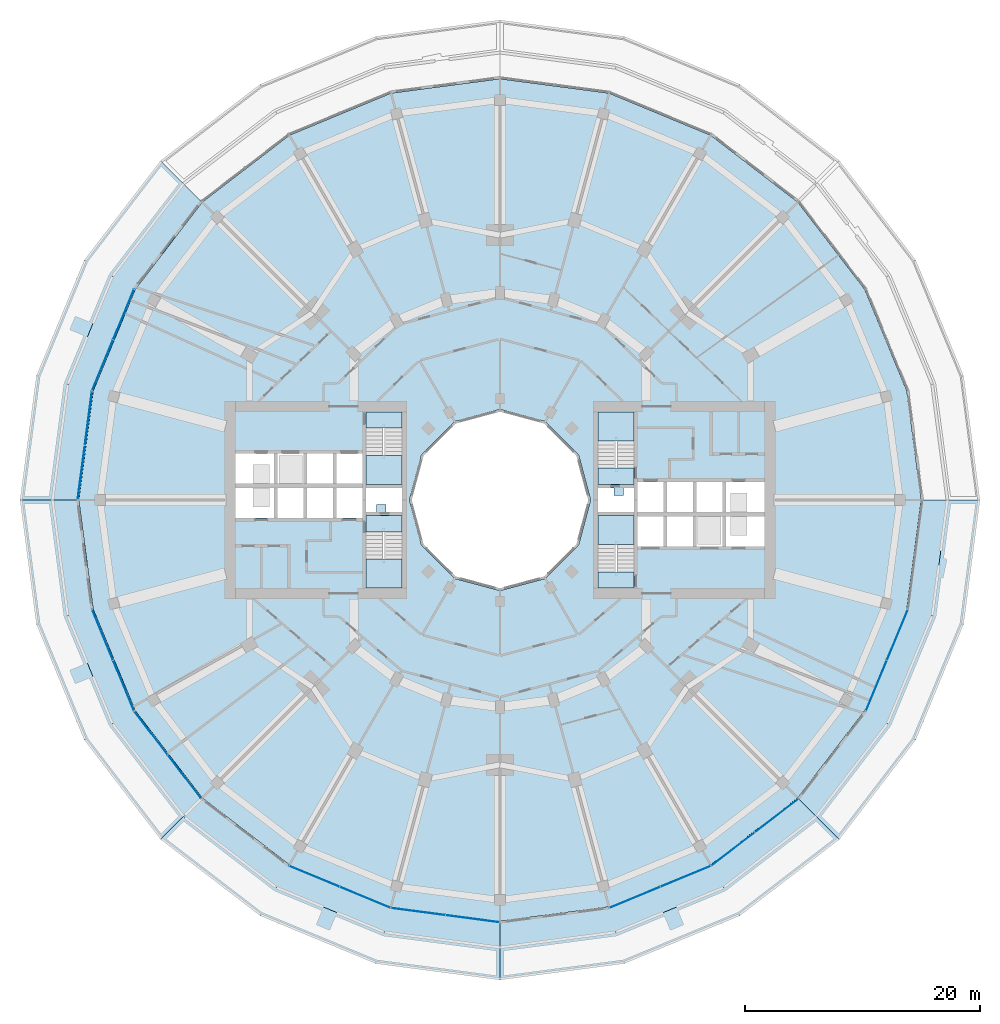
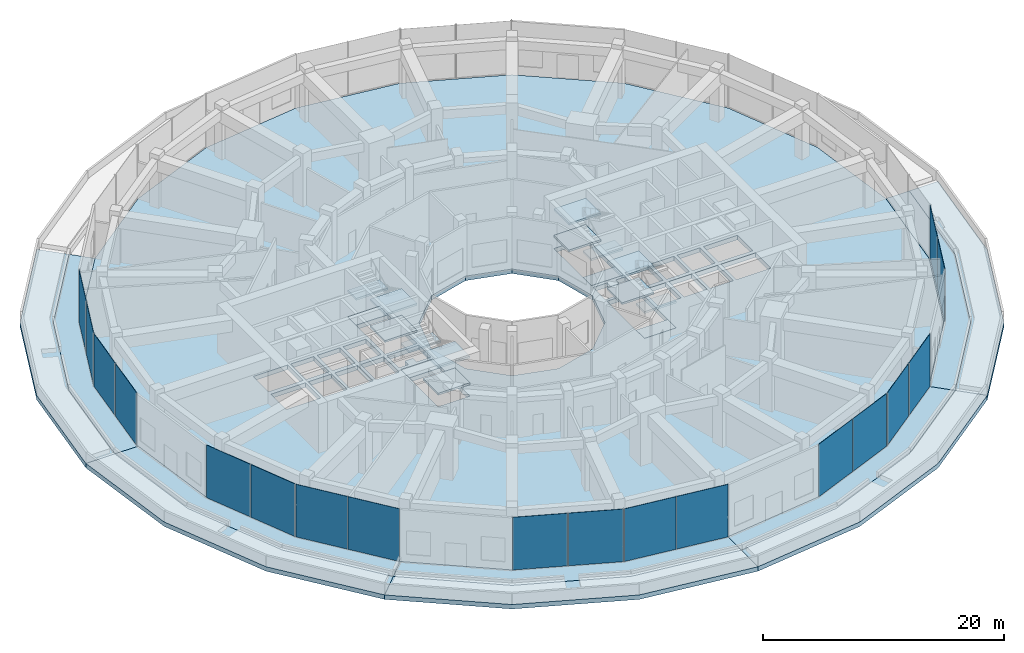
# One storey, part 15 of 26: 27 slabs, 18 plates, 13 elements without a shape of their own.
"""IFC4 building model written with IfcOpenShell, lengths in metres."""

from ifc_helpers import new_model, si_unit, direction, frame, origin, origin_2d, place, context, subcontext, project, spatial, polyline, rectangle, outline, extrude, material, layer, layer_set, type_object, element, aggregate, save


model = new_model("IFC4")

# Units and contexts
model_context = context("Model", 3, precision=1e-05, world=origin(), true_north=direction((0.0, 1.0)))
body_context = subcontext(model_context, "Body", "Model", "MODEL_VIEW")
ifc_project = project(units=[si_unit("LENGTHUNIT", "METRE"), si_unit("AREAUNIT", "SQUARE_METRE"), si_unit("VOLUMEUNIT", "CUBIC_METRE"), si_unit("PLANEANGLEUNIT", "RADIAN"), si_unit("MASSUNIT", "GRAM", prefix="KILO")], contexts=[model_context])

# Site, building, storey
site_placement = place(None, origin())
site = spatial("IfcSite", under=ifc_project, at=site_placement, CompositionType="ELEMENT")
building_placement = place(site_placement, origin())
building = spatial("IfcBuilding", under=site, at=building_placement, Name="Torre Brocal", CompositionType="ELEMENT")
storey_placement = place(building_placement, frame((0.0, 0.0, 12.39990234375)))
storey = spatial("IfcBuildingStorey", under=building, at=storey_placement, Name="L02", CompositionType="ELEMENT", Elevation=12.39990234375)

# Curtain wall, plates
ifc_material_1 = material(Name="Aluminium and glass", Category="aluminium")
ifc_layer_1 = layer(ifc_material_1, 0.199951171875)
ifc_layer_set_1 = layer_set([ifc_layer_1], Name="Aluminium and glass")
curtain_wall_type = type_object("IfcCurtainWallType", Name="CW-6 CURTAIN WALL 5400 HIGH", PredefinedType="NOTDEFINED", material=ifc_layer_set_1)
curtain_wall_1_placement = place(storey_placement, origin())
curtain_wall_1 = element("IfcCurtainWall", 1, at=curtain_wall_1_placement, inside=storey, type_object=curtain_wall_type, Name="CW-6 RUN 11", PredefinedType="NOTDEFINED")
ifc_material_2 = material(Name="Glass, dark tinted laminated", Category="glass")
ifc_layer_2 = layer(ifc_material_2, 0.028076171875)
ifc_layer_set_2 = layer_set([ifc_layer_2], Name="Glass, dark tinted laminated")
plate_type = type_object("IfcPlateType", Name="CW-6 GLASS PANEL 28", PredefinedType="CURTAIN_PANEL", material=ifc_layer_set_2)
plate_1_placement = place(storey_placement, frame((48.009033203125, 90.7734375, 0.070068359375), z_axis=(0.0, 0.0, 1.0), x_axis=(-0.382683432333, -0.923879532525, 0.0)))
plate_1 = element("IfcPlate", 2, at=plate_1_placement, type_object=plate_type, Name="CW6-1 panel 1.1", PredefinedType="CURTAIN_PANEL", context=body_context, shape_type="SweptSolid", body=[
    extrude(rectangle(XDim=4.61083984375, YDim=0.028076171875, at=origin_2d()), origin(), (0.0, 0.0, 1.0), 5.330078125),
])
plate_2_placement = place(storey_placement, frame((46.2255859375, 86.467529296875, 0.070068359375), z_axis=(0.0, 0.0, 1.0), x_axis=(-0.382683432333, -0.923879532525, 0.0)))
plate_2 = element("IfcPlate", 3, at=plate_2_placement, type_object=plate_type, Name="CW6-1 panel 2.1", PredefinedType="CURTAIN_PANEL", context=body_context, shape_type="SweptSolid", body=[
    extrude(rectangle(XDim=4.61083984375, YDim=0.028076171875, at=origin_2d()), origin(), (0.0, 0.0, 1.0), 5.330078125),
])
aggregate(curtain_wall_1, [plate_1, plate_2])

curtain_wall_2_placement = place(storey_placement, origin())
curtain_wall_2 = element("IfcCurtainWall", 4, at=curtain_wall_2_placement, inside=storey, type_object=curtain_wall_type, Name="CW-6 RUN 12", PredefinedType="NOTDEFINED")
plate_3_placement = place(storey_placement, frame((45.0166015625, 81.9560546875, 0.070068359375), z_axis=(0.0, 0.0, 1.0), x_axis=(-0.130526192255, -0.991444861369, 0.0)))
plate_3 = element("IfcPlate", 5, at=plate_3_placement, type_object=plate_type, Name="CW6-1 panel 1.1", PredefinedType="CURTAIN_PANEL", context=body_context, shape_type="SweptSolid", body=[
    extrude(rectangle(XDim=4.61083984375, YDim=0.028076171875, at=origin_2d()), origin(), (0.0, 0.0, 1.0), 5.330078125),
])
plate_4_placement = place(storey_placement, frame((44.408203125, 77.335205078125, 0.070068359375), z_axis=(0.0, 0.0, 1.0), x_axis=(-0.130526192255, -0.991444861369, 0.0)))
plate_4 = element("IfcPlate", 6, at=plate_4_placement, type_object=plate_type, Name="CW6-1 panel 2.1", PredefinedType="CURTAIN_PANEL", context=body_context, shape_type="SweptSolid", body=[
    extrude(rectangle(XDim=4.61083984375, YDim=0.028076171875, at=origin_2d()), origin(), (0.0, 0.0, 1.0), 5.330078125),
])
aggregate(curtain_wall_2, [plate_3, plate_4])

curtain_wall_3_placement = place(storey_placement, origin())
curtain_wall_3 = element("IfcCurtainWall", 7, at=curtain_wall_3_placement, inside=storey, type_object=curtain_wall_type, Name="CW-6 RUN 14", PredefinedType="NOTDEFINED")
plate_5_placement = place(storey_placement, frame((46.2255859375, 63.532470703125, 0.070068359375), z_axis=(0.0, 0.0, 1.0), x_axis=(0.382683432333, -0.923879532525, 0.0)))
plate_5 = element("IfcPlate", 8, at=plate_5_placement, type_object=plate_type, Name="CW6-1 panel 1.1", PredefinedType="CURTAIN_PANEL", context=body_context, shape_type="SweptSolid", body=[
    extrude(rectangle(XDim=4.61083984375, YDim=0.028076171875, at=origin_2d()), origin(), (0.0, 0.0, 1.0), 5.330078125),
])
plate_6_placement = place(storey_placement, frame((48.009033203125, 59.2265625, 0.070068359375), z_axis=(0.0, 0.0, 1.0), x_axis=(0.382683432333, -0.923879532525, 0.0)))
plate_6 = element("IfcPlate", 9, at=plate_6_placement, type_object=plate_type, Name="CW6-1 panel 2.1", PredefinedType="CURTAIN_PANEL", context=body_context, shape_type="SweptSolid", body=[
    extrude(rectangle(XDim=4.61083984375, YDim=0.028076171875, at=origin_2d()), origin(), (0.0, 0.0, 1.0), 5.330078125),
])
aggregate(curtain_wall_3, [plate_5, plate_6])

curtain_wall_4_placement = place(storey_placement, origin())
curtain_wall_4 = element("IfcCurtainWall", 10, at=curtain_wall_4_placement, inside=storey, type_object=curtain_wall_type, Name="CW-6 RUN 15", PredefinedType="NOTDEFINED")
plate_7_placement = place(storey_placement, frame((50.34423828125, 55.181884765625, 0.070068359375), z_axis=(0.0, 0.0, 1.0), x_axis=(0.608761429009, -0.793353340291, 0.0)))
plate_7 = element("IfcPlate", 11, at=plate_7_placement, type_object=plate_type, Name="CW6-1 panel 1.1", PredefinedType="CURTAIN_PANEL", context=body_context, shape_type="SweptSolid", body=[
    extrude(rectangle(XDim=4.61083984375, YDim=0.028076171875, at=origin_2d()), origin(), (0.0, 0.0, 1.0), 5.330078125),
])
plate_8_placement = place(storey_placement, frame((53.181640625, 51.484130859375, 0.070068359375), z_axis=(0.0, 0.0, 1.0), x_axis=(0.608761429009, -0.793353340291, 0.0)))
plate_8 = element("IfcPlate", 12, at=plate_8_placement, type_object=plate_type, Name="CW6-1 panel 2.1", PredefinedType="CURTAIN_PANEL", context=body_context, shape_type="SweptSolid", body=[
    extrude(rectangle(XDim=4.61083984375, YDim=0.028076171875, at=origin_2d()), origin(), (0.0, 0.0, 1.0), 5.330078125),
])
aggregate(curtain_wall_4, [plate_7, plate_8])

curtain_wall_5_placement = place(storey_placement, origin())
curtain_wall_5 = element("IfcCurtainWall", 13, at=curtain_wall_5_placement, inside=storey, type_object=curtain_wall_type, Name="CW-6 RUN 17", PredefinedType="NOTDEFINED")
plate_9_placement = place(storey_placement, frame((64.2265625, 43.009033203125, 0.070068359375), z_axis=(0.0, 0.0, 1.0), x_axis=(0.923879532525, -0.382683432333, 0.0)))
plate_9 = element("IfcPlate", 14, at=plate_9_placement, type_object=plate_type, Name="CW6-1 panel 1.1", PredefinedType="CURTAIN_PANEL", context=body_context, shape_type="SweptSolid", body=[
    extrude(rectangle(XDim=4.61083984375, YDim=0.028076171875, at=origin_2d()), origin(), (0.0, 0.0, 1.0), 5.330078125),
])
plate_10_placement = place(storey_placement, frame((68.532470703125, 41.2255859375, 0.070068359375), z_axis=(0.0, 0.0, 1.0), x_axis=(0.923879532525, -0.382683432333, 0.0)))
plate_10 = element("IfcPlate", 15, at=plate_10_placement, type_object=plate_type, Name="CW6-1 panel 2.1", PredefinedType="CURTAIN_PANEL", context=body_context, shape_type="SweptSolid", body=[
    extrude(rectangle(XDim=4.61083984375, YDim=0.028076171875, at=origin_2d()), origin(), (0.0, 0.0, 1.0), 5.330078125),
])
aggregate(curtain_wall_5, [plate_9, plate_10])

curtain_wall_6_placement = place(storey_placement, origin())
curtain_wall_6 = element("IfcCurtainWall", 16, at=curtain_wall_6_placement, inside=storey, type_object=curtain_wall_type, Name="CW-6 RUN 18", PredefinedType="NOTDEFINED")
plate_11_placement = place(storey_placement, frame((73.0439453125, 40.0166015625, 0.070068359375), z_axis=(0.0, 0.0, 1.0), x_axis=(0.991444861369, -0.130526192255, 0.0)))
plate_11 = element("IfcPlate", 17, at=plate_11_placement, type_object=plate_type, Name="CW6-1 panel 1.1", PredefinedType="CURTAIN_PANEL", context=body_context, shape_type="SweptSolid", body=[
    extrude(rectangle(XDim=4.61083984375, YDim=0.028076171875, at=origin_2d()), origin(), (0.0, 0.0, 1.0), 5.330078125),
])
plate_12_placement = place(storey_placement, frame((77.664794921875, 39.408203125, 0.070068359375), z_axis=(0.0, 0.0, 1.0), x_axis=(0.991444861369, -0.130526192255, 0.0)))
plate_12 = element("IfcPlate", 18, at=plate_12_placement, type_object=plate_type, Name="CW6-1 panel 2.1", PredefinedType="CURTAIN_PANEL", context=body_context, shape_type="SweptSolid", body=[
    extrude(rectangle(XDim=4.61083984375, YDim=0.028076171875, at=origin_2d()), origin(), (0.0, 0.0, 1.0), 5.330078125),
])
aggregate(curtain_wall_6, [plate_11, plate_12])

curtain_wall_7_placement = place(storey_placement, origin())
curtain_wall_7 = element("IfcCurtainWall", 19, at=curtain_wall_7_placement, inside=storey, type_object=curtain_wall_type, Name="CW-6 RUN 20", PredefinedType="NOTDEFINED")
plate_13_placement = place(storey_placement, frame((91.467529296875, 41.2255859375, 0.070068359375), z_axis=(0.0, 0.0, 1.0), x_axis=(0.923879532525, 0.382683432333, 0.0)))
plate_13 = element("IfcPlate", 20, at=plate_13_placement, type_object=plate_type, Name="CW6-1 panel 1.1", PredefinedType="CURTAIN_PANEL", context=body_context, shape_type="SweptSolid", body=[
    extrude(rectangle(XDim=4.61083984375, YDim=0.028076171875, at=origin_2d()), origin(), (0.0, 0.0, 1.0), 5.330078125),
])
plate_14_placement = place(storey_placement, frame((95.7734375, 43.009033203125, 0.070068359375), z_axis=(0.0, 0.0, 1.0), x_axis=(0.923879532525, 0.382683432333, 0.0)))
plate_14 = element("IfcPlate", 21, at=plate_14_placement, type_object=plate_type, Name="CW6-1 panel 2.1", PredefinedType="CURTAIN_PANEL", context=body_context, shape_type="SweptSolid", body=[
    extrude(rectangle(XDim=4.61083984375, YDim=0.028076171875, at=origin_2d()), origin(), (0.0, 0.0, 1.0), 5.330078125),
])
aggregate(curtain_wall_7, [plate_13, plate_14])

curtain_wall_8_placement = place(storey_placement, origin())
curtain_wall_8 = element("IfcCurtainWall", 22, at=curtain_wall_8_placement, inside=storey, type_object=curtain_wall_type, Name="CW-6 RUN 21", PredefinedType="NOTDEFINED")
plate_15_placement = place(storey_placement, frame((99.818115234375, 45.34423828125, 0.070068359375), z_axis=(0.0, 0.0, 1.0), x_axis=(0.793353340291, 0.608761429009, 0.0)))
plate_15 = element("IfcPlate", 23, at=plate_15_placement, type_object=plate_type, Name="CW6-1 panel 1.1", PredefinedType="CURTAIN_PANEL", context=body_context, shape_type="SweptSolid", body=[
    extrude(rectangle(XDim=4.61083984375, YDim=0.028076171875, at=origin_2d()), origin(), (0.0, 0.0, 1.0), 5.330078125),
])
plate_16_placement = place(storey_placement, frame((103.515869140625, 48.181640625, 0.070068359375), z_axis=(0.0, 0.0, 1.0), x_axis=(0.793353340291, 0.608761429009, 0.0)))
plate_16 = element("IfcPlate", 24, at=plate_16_placement, type_object=plate_type, Name="CW6-1 panel 2.1", PredefinedType="CURTAIN_PANEL", context=body_context, shape_type="SweptSolid", body=[
    extrude(rectangle(XDim=4.61083984375, YDim=0.028076171875, at=origin_2d()), origin(), (0.0, 0.0, 1.0), 5.330078125),
])
aggregate(curtain_wall_8, [plate_15, plate_16])

curtain_wall_9_placement = place(storey_placement, origin())
curtain_wall_9 = element("IfcCurtainWall", 25, at=curtain_wall_9_placement, inside=storey, type_object=curtain_wall_type, Name="CW-6 RUN 23", PredefinedType="NOTDEFINED")
plate_17_placement = place(storey_placement, frame((111.990966796875, 59.2265625, 0.070068359375), z_axis=(0.0, 0.0, 1.0), x_axis=(0.382683432333, 0.923879532525, 0.0)))
plate_17 = element("IfcPlate", 26, at=plate_17_placement, type_object=plate_type, Name="CW6-1 panel 1.1", PredefinedType="CURTAIN_PANEL", context=body_context, shape_type="SweptSolid", body=[
    extrude(rectangle(XDim=4.61083984375, YDim=0.028076171875, at=origin_2d()), origin(), (0.0, 0.0, 1.0), 5.330078125),
])
plate_18_placement = place(storey_placement, frame((113.7744140625, 63.532470703125, 0.070068359375), z_axis=(0.0, 0.0, 1.0), x_axis=(0.382683432333, 0.923879532525, 0.0)))
plate_18 = element("IfcPlate", 27, at=plate_18_placement, type_object=plate_type, Name="CW6-1 panel 2.1", PredefinedType="CURTAIN_PANEL", context=body_context, shape_type="SweptSolid", body=[
    extrude(rectangle(XDim=4.61083984375, YDim=0.028076171875, at=origin_2d()), origin(), (0.0, 0.0, 1.0), 5.330078125),
])
aggregate(curtain_wall_9, [plate_17, plate_18])

# Stair, slab
ifc_material_3 = material(Name="Concrete C50", Category="concrete")
stair_type = type_object("IfcStairType", Name="EXIT STAIR", PredefinedType="HALF_TURN_STAIR", material=ifc_material_3)
stair_1_placement = place(storey_placement, origin())
stair_1 = element("IfcStair", 28, at=stair_1_placement, inside=storey, type_object=stair_type, Name="EXIT STAIR ST1", PredefinedType="HALF_TURN_STAIR")
ifc_material_4 = material(Name="Concrete C50", Category="concrete")
ifc_layer_3 = layer(ifc_material_4, 0.449951171875)
ifc_layer_set_3 = layer_set([ifc_layer_3], Name="Concrete C50")
slab_type_1 = type_object("IfcSlabType", Name="FLOOR LANDING 450", PredefinedType="LANDING", material=ifc_layer_set_3)
slab_1_placement = place(storey_placement, frame((0.0, 0.0, -0.449951171875)))
slab_1 = element("IfcSlab", 29, at=slab_1_placement, type_object=slab_type_1, Name="ST1 landing 1", PredefinedType="LANDING", context=body_context, shape_type="SweptSolid", body=[
    extrude(outline(polyline([(88.35009765625, 76.300048828125), (91.39990234375, 76.300048828125), (91.39990234375, 77.699951171875), (88.35009765625, 77.699951171875), (88.35009765625, 76.300048828125)])), origin(), (0.0, 0.0, 1.0), 0.449951171875),
])

stair_2_placement = place(storey_placement, origin())
stair_2 = element("IfcStair", 30, at=stair_2_placement, inside=storey, type_object=stair_type, Name="EXIT STAIR ST2", PredefinedType="HALF_TURN_STAIR")
slab_2_placement = place(storey_placement, frame((0.0, 0.0, -0.449951171875)))
slab_2 = element("IfcSlab", 31, at=slab_2_placement, type_object=slab_type_1, Name="ST2 landing 1", PredefinedType="LANDING", context=body_context, shape_type="SweptSolid", body=[
    extrude(outline(polyline([(88.35009765625, 67.5), (91.39990234375, 67.5), (91.39990234375, 68.89990234375), (88.35009765625, 68.89990234375), (88.35009765625, 67.5)])), origin(), (0.0, 0.0, 1.0), 0.449951171875),
])

stair_3_placement = place(storey_placement, origin())
stair_3 = element("IfcStair", 32, at=stair_3_placement, inside=storey, type_object=stair_type, Name="EXIT STAIR ST3", PredefinedType="HALF_TURN_STAIR")
slab_3_placement = place(storey_placement, frame((0.0, 0.0, -0.449951171875)))
slab_3 = element("IfcSlab", 33, at=slab_3_placement, type_object=slab_type_1, Name="ST3 landing 1", PredefinedType="LANDING", context=body_context, shape_type="SweptSolid", body=[
    extrude(outline(polyline([(71.64990234375, 73.699951171875), (68.60009765625, 73.699951171875), (68.60009765625, 72.300048828125), (71.64990234375, 72.300048828125), (71.64990234375, 73.699951171875)])), origin(), (0.0, 0.0, 1.0), 0.449951171875),
])

stair_4_placement = place(storey_placement, origin())
stair_4 = element("IfcStair", 34, at=stair_4_placement, inside=storey, type_object=stair_type, Name="EXIT STAIR ST4", PredefinedType="HALF_TURN_STAIR")
slab_4_placement = place(storey_placement, frame((0.0, 0.0, -0.449951171875)))
slab_4 = element("IfcSlab", 35, at=slab_4_placement, type_object=slab_type_1, Name="ST4 landing 1", PredefinedType="LANDING", context=body_context, shape_type="SweptSolid", body=[
    extrude(outline(polyline([(71.64990234375, 82.5), (68.60009765625, 82.5), (68.60009765625, 81.10009765625), (71.64990234375, 81.10009765625), (71.64990234375, 82.5)])), origin(), (0.0, 0.0, 1.0), 0.449951171875),
])

# Slabs
ifc_material_5 = material(Name="Concrete C45", Category="concrete")
ifc_layer_4 = layer(ifc_material_5, 0.449951171875)
ifc_layer_set_4 = layer_set([ifc_layer_4], Name="Concrete C45")
slab_type_2 = type_object("IfcSlabType", Name="GREEN ROOF PLANTING BED SLAB 450 C45", PredefinedType="ROOF", material=ifc_layer_set_4)
slab_5_placement = place(storey_placement, frame((0.0, 0.0, -0.449951171875)))
element("IfcSlab", 36, at=slab_5_placement, inside=storey, type_object=slab_type_2, Name="Slab ST-04", PredefinedType="ROOF", context=body_context, shape_type="SweptSolid", body=[
    extrude(outline(polyline([(51.1513671875, 103.8486328125), (53.10693359375, 101.89306640625), (47.06298828125, 94.01611328125), (43.263427734375, 84.843505859375), (41.967529296875, 75.0), (39.20166015625, 75.0), (40.591796875, 85.559326171875), (44.667724609375, 95.399169921875), (51.1513671875, 103.8486328125)])), origin(), (0.0, 0.0, 1.0), 0.449951171875),
])
slab_6_placement = place(storey_placement, frame((0.0, 0.0, -0.449951171875)))
element("IfcSlab", 37, at=slab_6_placement, inside=storey, type_object=slab_type_2, Name="Slab ST-04", PredefinedType="ROOF", context=body_context, shape_type="SweptSolid", body=[
    extrude(outline(polyline([(39.20166015625, 75.0), (41.967529296875, 75.0), (43.263427734375, 65.156494140625), (47.06298828125, 55.98388671875), (53.10693359375, 48.10693359375), (51.1513671875, 46.1513671875), (44.667724609375, 54.600830078125), (40.591796875, 64.440673828125), (39.20166015625, 75.0)])), origin(), (0.0, 0.0, 1.0), 0.449951171875),
])
slab_7_placement = place(storey_placement, frame((0.0, 0.0, -0.449951171875)))
element("IfcSlab", 38, at=slab_7_placement, inside=storey, type_object=slab_type_2, Name="Slab ST-04", PredefinedType="ROOF", context=body_context, shape_type="SweptSolid", body=[
    extrude(outline(polyline([(51.1513671875, 46.1513671875), (53.10693359375, 48.10693359375), (60.98388671875, 42.06298828125), (70.156494140625, 38.263427734375), (80.0, 36.967529296875), (80.0, 34.20166015625), (69.440673828125, 35.591796875), (59.600830078125, 39.667724609375), (51.1513671875, 46.1513671875)])), origin(), (0.0, 0.0, 1.0), 0.449951171875),
])
slab_8_placement = place(storey_placement, frame((0.0, 0.0, -0.449951171875)))
element("IfcSlab", 39, at=slab_8_placement, inside=storey, type_object=slab_type_2, Name="Slab ST-04", PredefinedType="ROOF", context=body_context, shape_type="SweptSolid", body=[
    extrude(outline(polyline([(80.0, 34.20166015625), (80.0, 36.967529296875), (89.843505859375, 38.263427734375), (99.01611328125, 42.06298828125), (106.89306640625, 48.10693359375), (108.8486328125, 46.1513671875), (100.399169921875, 39.667724609375), (90.559326171875, 35.591796875), (80.0, 34.20166015625)])), origin(), (0.0, 0.0, 1.0), 0.449951171875),
])
slab_9_placement = place(storey_placement, frame((0.0, 0.0, -0.449951171875)))
element("IfcSlab", 40, at=slab_9_placement, inside=storey, type_object=slab_type_2, Name="Slab ST-04", PredefinedType="ROOF", context=body_context, shape_type="SweptSolid", body=[
    extrude(outline(polyline([(112.93701171875, 55.98388671875), (116.736572265625, 65.156494140625), (118.032470703125, 75.0), (120.79833984375, 75.0), (119.408203125, 64.440673828125), (115.332275390625, 54.600830078125), (108.8486328125, 46.1513671875), (106.89306640625, 48.10693359375), (112.93701171875, 55.98388671875)])), origin(), (0.0, 0.0, 1.0), 0.449951171875),
])

# Slab
ifc_material_6 = material(Name="Concrete C50", Category="concrete")
ifc_layer_5 = layer(ifc_material_6, 0.199951171875)
ifc_layer_set_5 = layer_set([ifc_layer_5], Name="Concrete C50")
slab_type_3 = type_object("IfcSlabType", Name="MID LANDING +1350", PredefinedType="LANDING", material=ifc_layer_set_5)
slab_10_placement = place(storey_placement, frame((0.0, 0.0, 1.150146484375)))
slab_10 = element("IfcSlab", 41, at=slab_10_placement, type_object=slab_type_3, Name="ST1 landing 2", PredefinedType="LANDING", context=body_context, shape_type="SweptSolid", body=[
    extrude(outline(polyline([(88.35009765625, 80.010009765625), (91.39990234375, 80.010009765625), (91.39990234375, 82.5), (88.35009765625, 82.5), (88.35009765625, 80.010009765625)])), origin(), (0.0, 0.0, 1.0), 0.199951171875),
])

slab_11_placement = place(storey_placement, frame((0.0, 0.0, 1.150146484375)))
slab_11 = element("IfcSlab", 42, at=slab_11_placement, type_object=slab_type_3, Name="ST2 landing 2", PredefinedType="LANDING", context=body_context, shape_type="SweptSolid", body=[
    extrude(outline(polyline([(88.35009765625, 71.2099609375), (91.39990234375, 71.2099609375), (91.39990234375, 73.699951171875), (88.35009765625, 73.699951171875), (88.35009765625, 71.2099609375)])), origin(), (0.0, 0.0, 1.0), 0.199951171875),
])

slab_12_placement = place(storey_placement, frame((0.0, 0.0, 1.150146484375)))
slab_12 = element("IfcSlab", 43, at=slab_12_placement, type_object=slab_type_3, Name="ST3 landing 2", PredefinedType="LANDING", context=body_context, shape_type="SweptSolid", body=[
    extrude(outline(polyline([(71.64990234375, 69.989990234375), (68.60009765625, 69.989990234375), (68.60009765625, 67.5), (71.64990234375, 67.5), (71.64990234375, 69.989990234375)])), origin(), (0.0, 0.0, 1.0), 0.199951171875),
])

slab_13_placement = place(storey_placement, frame((0.0, 0.0, 1.150146484375)))
slab_13 = element("IfcSlab", 44, at=slab_13_placement, type_object=slab_type_3, Name="ST4 landing 2", PredefinedType="LANDING", context=body_context, shape_type="SweptSolid", body=[
    extrude(outline(polyline([(71.64990234375, 78.7900390625), (68.60009765625, 78.7900390625), (68.60009765625, 76.300048828125), (71.64990234375, 76.300048828125), (71.64990234375, 78.7900390625)])), origin(), (0.0, 0.0, 1.0), 0.199951171875),
])

ifc_material_7 = material(Name="Concrete C50", Category="concrete")
ifc_layer_6 = layer(ifc_material_7, 0.199951171875)
ifc_layer_set_6 = layer_set([ifc_layer_6], Name="Concrete C50")
slab_type_4 = type_object("IfcSlabType", Name="MID LANDING +2700", PredefinedType="LANDING", material=ifc_layer_set_6)
slab_14_placement = place(storey_placement, frame((0.0, 0.0, 2.5)))
slab_14 = element("IfcSlab", 45, at=slab_14_placement, type_object=slab_type_4, Name="ST1 landing 3", PredefinedType="LANDING", context=body_context, shape_type="SweptSolid", body=[
    extrude(outline(polyline([(88.35009765625, 76.300048828125), (91.39990234375, 76.300048828125), (91.39990234375, 77.699951171875), (88.35009765625, 77.699951171875), (88.35009765625, 76.300048828125)])), origin(), (0.0, 0.0, 1.0), 0.2001953125),
])

slab_15_placement = place(storey_placement, frame((0.0, 0.0, 2.5)))
slab_15 = element("IfcSlab", 46, at=slab_15_placement, type_object=slab_type_4, Name="ST2 landing 3", PredefinedType="LANDING", context=body_context, shape_type="SweptSolid", body=[
    extrude(outline(polyline([(88.35009765625, 67.5), (91.39990234375, 67.5), (91.39990234375, 68.89990234375), (88.35009765625, 68.89990234375), (88.35009765625, 67.5)])), origin(), (0.0, 0.0, 1.0), 0.2001953125),
])

slab_16_placement = place(storey_placement, frame((0.0, 0.0, 2.5)))
slab_16 = element("IfcSlab", 47, at=slab_16_placement, type_object=slab_type_4, Name="ST3 landing 3", PredefinedType="LANDING", context=body_context, shape_type="SweptSolid", body=[
    extrude(outline(polyline([(71.64990234375, 73.699951171875), (68.60009765625, 73.699951171875), (68.60009765625, 72.300048828125), (71.64990234375, 72.300048828125), (71.64990234375, 73.699951171875)])), origin(), (0.0, 0.0, 1.0), 0.2001953125),
])

slab_17_placement = place(storey_placement, frame((0.0, 0.0, 2.5)))
slab_17 = element("IfcSlab", 48, at=slab_17_placement, type_object=slab_type_4, Name="ST4 landing 3", PredefinedType="LANDING", context=body_context, shape_type="SweptSolid", body=[
    extrude(outline(polyline([(71.64990234375, 82.5), (68.60009765625, 82.5), (68.60009765625, 81.10009765625), (71.64990234375, 81.10009765625), (71.64990234375, 82.5)])), origin(), (0.0, 0.0, 1.0), 0.2001953125),
])

ifc_material_8 = material(Name="Concrete C50", Category="concrete")
ifc_layer_7 = layer(ifc_material_8, 0.199951171875)
ifc_layer_set_7 = layer_set([ifc_layer_7], Name="Concrete C50")
slab_type_5 = type_object("IfcSlabType", Name="MID LANDING +4050", PredefinedType="LANDING", material=ifc_layer_set_7)
slab_18_placement = place(storey_placement, frame((0.0, 0.0, 3.85009765625)))
slab_18 = element("IfcSlab", 49, at=slab_18_placement, type_object=slab_type_5, Name="ST1 landing 4", PredefinedType="LANDING", context=body_context, shape_type="SweptSolid", body=[
    extrude(outline(polyline([(88.35009765625, 80.010009765625), (91.39990234375, 80.010009765625), (91.39990234375, 82.5), (88.35009765625, 82.5), (88.35009765625, 80.010009765625)])), origin(), (0.0, 0.0, 1.0), 0.199951171875),
])

aggregate(stair_1, [slab_1, slab_10, slab_14, slab_18])

slab_19_placement = place(storey_placement, frame((0.0, 0.0, 3.85009765625)))
slab_19 = element("IfcSlab", 50, at=slab_19_placement, type_object=slab_type_5, Name="ST2 landing 4", PredefinedType="LANDING", context=body_context, shape_type="SweptSolid", body=[
    extrude(outline(polyline([(88.35009765625, 71.2099609375), (91.39990234375, 71.2099609375), (91.39990234375, 73.699951171875), (88.35009765625, 73.699951171875), (88.35009765625, 71.2099609375)])), origin(), (0.0, 0.0, 1.0), 0.199951171875),
])

aggregate(stair_2, [slab_2, slab_11, slab_15, slab_19])

slab_20_placement = place(storey_placement, frame((0.0, 0.0, 3.85009765625)))
slab_20 = element("IfcSlab", 51, at=slab_20_placement, type_object=slab_type_5, Name="ST3 landing 4", PredefinedType="LANDING", context=body_context, shape_type="SweptSolid", body=[
    extrude(outline(polyline([(71.64990234375, 69.989990234375), (68.60009765625, 69.989990234375), (68.60009765625, 67.5), (71.64990234375, 67.5), (71.64990234375, 69.989990234375)])), origin(), (0.0, 0.0, 1.0), 0.199951171875),
])

aggregate(stair_3, [slab_3, slab_12, slab_16, slab_20])

slab_21_placement = place(storey_placement, frame((0.0, 0.0, 3.85009765625)))
slab_21 = element("IfcSlab", 52, at=slab_21_placement, type_object=slab_type_5, Name="ST4 landing 4", PredefinedType="LANDING", context=body_context, shape_type="SweptSolid", body=[
    extrude(outline(polyline([(71.64990234375, 78.7900390625), (68.60009765625, 78.7900390625), (68.60009765625, 76.300048828125), (71.64990234375, 76.300048828125), (71.64990234375, 78.7900390625)])), origin(), (0.0, 0.0, 1.0), 0.199951171875),
])

aggregate(stair_4, [slab_4, slab_13, slab_17, slab_21])

# Slabs
ifc_material_9 = material(Name="Concrete C45", Category="concrete")
ifc_layer_8 = layer(ifc_material_9, 0.449951171875)
ifc_layer_set_8 = layer_set([ifc_layer_8], Name="Concrete C45")
slab_type_6 = type_object("IfcSlabType", Name="PT PODIUM SLAB 450 C45", PredefinedType="FLOOR", material=ifc_layer_set_8)
slab_22_placement = place(storey_placement, frame((0.0, 0.0, -0.449951171875)))
element("IfcSlab", 53, at=slab_22_placement, inside=storey, type_object=slab_type_6, Name="Slab ST-01", PredefinedType="FLOOR", context=body_context, shape_type="SweptSolid", body=[
    extrude(outline(polyline([(105.313232421875, 49.686767578125), (97.899169921875, 43.997802734375), (89.265380859375, 40.421630859375), (80.0, 39.20166015625), (70.734619140625, 40.421630859375), (62.100830078125, 43.997802734375), (54.686767578125, 49.686767578125), (48.997802734375, 57.100830078125), (45.421630859375, 65.734619140625), (44.20166015625, 75.0), (45.421630859375, 84.265380859375), (48.997802734375, 92.899169921875), (54.686767578125, 100.313232421875), (62.100830078125, 106.002197265625), (70.734619140625, 109.578369140625), (80.0, 110.79833984375), (89.265380859375, 109.578369140625), (97.899169921875, 106.002197265625), (105.313232421875, 100.313232421875), (111.002197265625, 92.899169921875), (114.578369140625, 84.265380859375), (115.79833984375, 75.0), (114.578369140625, 65.734619140625), (111.002197265625, 57.100830078125), (105.313232421875, 49.686767578125)]), holes=[polyline([(102.5, 74.0), (102.5, 76.550048828125), (99.199951171875, 76.550048828125), (99.199951171875, 74.0), (102.5, 74.0)]), polyline([(102.5, 71.050048828125), (102.5, 73.60009765625), (99.199951171875, 73.60009765625), (99.199951171875, 71.050048828125), (102.5, 71.050048828125)]), polyline([(98.89990234375, 76.550048828125), (96.699951171875, 76.550048828125), (96.699951171875, 74.0), (98.89990234375, 74.0), (98.89990234375, 76.550048828125)]), polyline([(98.89990234375, 71.050048828125), (98.89990234375, 73.60009765625), (96.699951171875, 73.60009765625), (96.699951171875, 71.050048828125), (98.89990234375, 71.050048828125)]), polyline([(96.39990234375, 73.60009765625), (94.199951171875, 73.60009765625), (94.199951171875, 71.050048828125), (96.39990234375, 71.050048828125), (96.39990234375, 73.60009765625)]), polyline([(96.39990234375, 74.0), (96.39990234375, 76.550048828125), (94.199951171875, 76.550048828125), (94.199951171875, 74.0), (96.39990234375, 74.0)]), polyline([(93.89990234375, 73.60009765625), (91.699951171875, 73.60009765625), (91.699951171875, 71.050048828125), (93.89990234375, 71.050048828125), (93.89990234375, 73.60009765625)]), polyline([(93.89990234375, 74.0), (93.89990234375, 76.550048828125), (91.699951171875, 76.550048828125), (91.699951171875, 74.0), (93.89990234375, 74.0)]), polyline([(91.39990234375, 76.300048828125), (91.39990234375, 82.5), (88.35009765625, 82.5), (88.35009765625, 76.300048828125), (91.39990234375, 76.300048828125)]), polyline([(91.39990234375, 73.699951171875), (88.35009765625, 73.699951171875), (88.35009765625, 67.5), (91.39990234375, 67.5), (91.39990234375, 73.699951171875)]), polyline([(89.699951171875, 76.0), (88.35009765625, 76.0), (88.35009765625, 74.0), (91.39990234375, 74.0), (91.39990234375, 76.0), (90.5, 76.0), (90.5, 75.39990234375), (89.699951171875, 75.39990234375), (89.699951171875, 76.0)]), polyline([(80.0, 82.70703125), (76.146484375, 81.674560546875), (73.325439453125, 78.853515625), (72.29296875, 75.0), (73.325439453125, 71.146484375), (76.146484375, 68.325439453125), (80.0, 67.29296875), (83.853515625, 68.325439453125), (86.674560546875, 71.146484375), (87.70703125, 75.0), (86.674560546875, 78.853515625), (83.853515625, 81.674560546875), (80.0, 82.70703125)]), polyline([(68.60009765625, 82.5), (68.60009765625, 76.300048828125), (71.64990234375, 76.300048828125), (71.64990234375, 82.5), (68.60009765625, 82.5)]), polyline([(70.300048828125, 74.0), (71.64990234375, 74.0), (71.64990234375, 76.0), (68.60009765625, 76.0), (68.60009765625, 74.0), (69.5, 74.0), (69.5, 74.60009765625), (70.300048828125, 74.60009765625), (70.300048828125, 74.0)]), polyline([(68.60009765625, 67.5), (71.64990234375, 67.5), (71.64990234375, 73.699951171875), (68.60009765625, 73.699951171875), (68.60009765625, 67.5)]), polyline([(66.10009765625, 78.949951171875), (66.10009765625, 76.39990234375), (68.300048828125, 76.39990234375), (68.300048828125, 78.949951171875), (66.10009765625, 78.949951171875)]), polyline([(66.10009765625, 76.0), (66.10009765625, 73.449951171875), (68.300048828125, 73.449951171875), (68.300048828125, 76.0), (66.10009765625, 76.0)]), polyline([(63.60009765625, 76.0), (63.60009765625, 73.449951171875), (65.800048828125, 73.449951171875), (65.800048828125, 76.0), (63.60009765625, 76.0)]), polyline([(63.60009765625, 76.39990234375), (65.800048828125, 76.39990234375), (65.800048828125, 78.949951171875), (63.60009765625, 78.949951171875), (63.60009765625, 76.39990234375)]), polyline([(61.10009765625, 78.949951171875), (61.10009765625, 76.39990234375), (63.300048828125, 76.39990234375), (63.300048828125, 78.949951171875), (61.10009765625, 78.949951171875)]), polyline([(61.10009765625, 73.449951171875), (63.300048828125, 73.449951171875), (63.300048828125, 76.0), (61.10009765625, 76.0), (61.10009765625, 73.449951171875)]), polyline([(57.5, 73.449951171875), (60.800048828125, 73.449951171875), (60.800048828125, 76.0), (57.5, 76.0), (57.5, 73.449951171875)]), polyline([(57.5, 78.949951171875), (57.5, 76.39990234375), (60.800048828125, 76.39990234375), (60.800048828125, 78.949951171875), (57.5, 78.949951171875)])]), origin(), (0.0, 0.0, 1.0), 0.449951171875),
])
ifc_material_10 = material(Name="Concrete C45", Category="concrete")
ifc_layer_9 = layer(ifc_material_10, 0.449951171875)
ifc_layer_set_9 = layer_set([ifc_layer_9], Name="Concrete C45")
slab_type_7 = type_object("IfcSlabType", Name="PT TERRACE SLAB 450 C45", PredefinedType="ROOF", material=ifc_layer_set_9)
slab_23_placement = place(storey_placement, frame((0.0, 0.0, -0.449951171875)))
element("IfcSlab", 54, at=slab_23_placement, inside=storey, type_object=slab_type_7, Name="Slab ST-03", PredefinedType="ROOF", context=body_context, shape_type="SweptSolid", body=[
    extrude(outline(polyline([(48.997802734375, 92.899169921875), (45.421630859375, 84.265380859375), (44.20166015625, 75.0), (41.967529296875, 75.0), (43.263427734375, 84.843505859375), (47.06298828125, 94.01611328125), (53.10693359375, 101.89306640625), (54.686767578125, 100.313232421875), (48.997802734375, 92.899169921875)])), origin(), (0.0, 0.0, 1.0), 0.449951171875),
])
slab_24_placement = place(storey_placement, frame((0.0, 0.0, -0.449951171875)))
element("IfcSlab", 55, at=slab_24_placement, inside=storey, type_object=slab_type_7, Name="Slab ST-03", PredefinedType="ROOF", context=body_context, shape_type="SweptSolid", body=[
    extrude(outline(polyline([(45.421630859375, 65.734619140625), (48.997802734375, 57.100830078125), (54.686767578125, 49.686767578125), (53.10693359375, 48.10693359375), (47.06298828125, 55.98388671875), (43.263427734375, 65.156494140625), (41.967529296875, 75.0), (44.20166015625, 75.0), (45.421630859375, 65.734619140625)])), origin(), (0.0, 0.0, 1.0), 0.449951171875),
])
slab_25_placement = place(storey_placement, frame((0.0, 0.0, -0.449951171875)))
element("IfcSlab", 56, at=slab_25_placement, inside=storey, type_object=slab_type_7, Name="Slab ST-03", PredefinedType="ROOF", context=body_context, shape_type="SweptSolid", body=[
    extrude(outline(polyline([(62.100830078125, 43.997802734375), (70.734619140625, 40.421630859375), (80.0, 39.20166015625), (80.0, 36.967529296875), (70.156494140625, 38.263427734375), (60.98388671875, 42.06298828125), (53.10693359375, 48.10693359375), (54.686767578125, 49.686767578125), (62.100830078125, 43.997802734375)])), origin(), (0.0, 0.0, 1.0), 0.449951171875),
])
slab_26_placement = place(storey_placement, frame((0.0, 0.0, -0.449951171875)))
element("IfcSlab", 57, at=slab_26_placement, inside=storey, type_object=slab_type_7, Name="Slab ST-03", PredefinedType="ROOF", context=body_context, shape_type="SweptSolid", body=[
    extrude(outline(polyline([(89.265380859375, 40.421630859375), (97.899169921875, 43.997802734375), (105.313232421875, 49.686767578125), (106.89306640625, 48.10693359375), (99.01611328125, 42.06298828125), (89.843505859375, 38.263427734375), (80.0, 36.967529296875), (80.0, 39.20166015625), (89.265380859375, 40.421630859375)])), origin(), (0.0, 0.0, 1.0), 0.449951171875),
])
slab_27_placement = place(storey_placement, frame((0.0, 0.0, -0.449951171875)))
element("IfcSlab", 58, at=slab_27_placement, inside=storey, type_object=slab_type_7, Name="Slab ST-03", PredefinedType="ROOF", context=body_context, shape_type="SweptSolid", body=[
    extrude(outline(polyline([(111.002197265625, 57.100830078125), (114.578369140625, 65.734619140625), (115.79833984375, 75.0), (118.032470703125, 75.0), (116.736572265625, 65.156494140625), (112.93701171875, 55.98388671875), (106.89306640625, 48.10693359375), (105.313232421875, 49.686767578125), (111.002197265625, 57.100830078125)])), origin(), (0.0, 0.0, 1.0), 0.449951171875),
])

save(model, "model.ifc")
